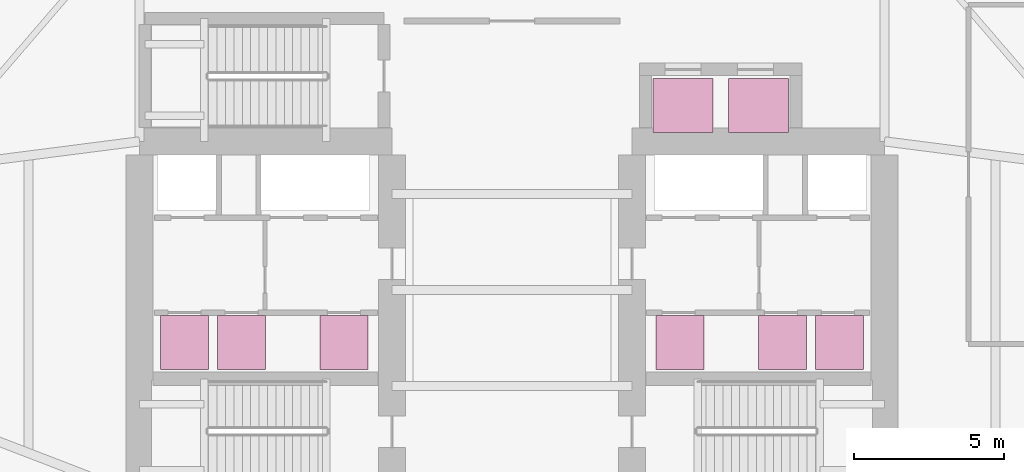
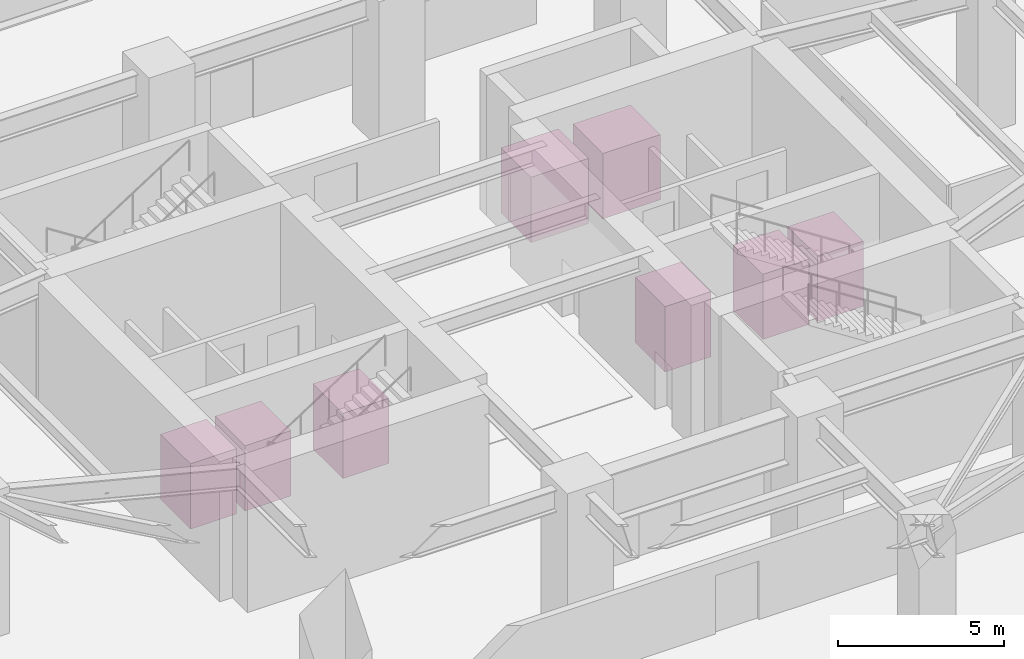
# One storey, part 24 of 24: 8 transport elements.
"""IFC4 building model written with IfcOpenShell, lengths in metres."""

from ifc_helpers import new_model, si_unit, direction, frame, origin, origin_2d, place, context, subcontext, project, spatial, rectangle, extrude, material, type_object, element, save


model = new_model("IFC4")

# Units and contexts
model_context = context("Model", 3, precision=1e-05, world=origin(), true_north=direction((0.0, 1.0)))
body_context = subcontext(model_context, "Body", "Model", "MODEL_VIEW")
ifc_project = project(units=[si_unit("LENGTHUNIT", "METRE"), si_unit("AREAUNIT", "SQUARE_METRE"), si_unit("VOLUMEUNIT", "CUBIC_METRE"), si_unit("PLANEANGLEUNIT", "RADIAN"), si_unit("MASSUNIT", "GRAM", prefix="KILO")], contexts=[model_context])

# Site, building, storey
site_placement = place(None, origin())
site = spatial("IfcSite", under=ifc_project, at=site_placement, CompositionType="ELEMENT")
building_placement = place(site_placement, origin())
building = spatial("IfcBuilding", under=site, at=building_placement, Name="Qingluan Cross Belvedere", CompositionType="ELEMENT")
storey_placement = place(building_placement, origin())
storey = spatial("IfcBuildingStorey", under=building, at=storey_placement, Name="L01", CompositionType="ELEMENT", Elevation=0.0)

# Transport elements
ifc_material_1 = material(Name="Glazed stainless steel shuttle lift cab", Category="steel")
transport_element_type_1 = type_object("IfcTransportElementType", Name="ExpressShuttleLift_2000kg", PredefinedType="ELEVATOR", material=ifc_material_1)
for number, where, z_axis, x_axis, name in (
    (1, (5.699951171875, 6.14990234375, 0.0), (0.0, 0.0, 1.0), (1.0, 0.0, 0.0), "Passenger lift (express bank) LPX1"),
    (2, (8.199951171875, 6.14990234375, 0.0), (0.0, 0.0, 1.0), (1.0, 0.0, 0.0), "Passenger lift (express bank) LPX2"),
):
    element("IfcTransportElement", number, at=place(storey_placement, frame(where, z_axis=z_axis, x_axis=x_axis)), inside=storey, type_object=transport_element_type_1, Name=name, PredefinedType="ELEVATOR", context=body_context, shape_type="SweptSolid", body=[
        extrude(rectangle(XDim=2.0, YDim=1.800048828125, at=origin_2d()), origin(), (0.0, 0.0, 1.0), 2.39990234375),
    ])
ifc_material_2 = material(Name="Stainless steel passenger lift cab", Category="steel")
transport_element_type_2 = type_object("IfcTransportElementType", Name="PassengerLift_1600kg", PredefinedType="ELEVATOR", material=ifc_material_2)
for number, where, z_axis, x_axis, name in (
    (3, (-10.89990234375, -1.75, 0.0), (0.0, 0.0, 1.0), (1.0, 0.0, 0.0), "Passenger lift (mid bank) LP5"),
    (4, (-9.0, -1.75, 0.0), (0.0, 0.0, 1.0), (1.0, 0.0, 0.0), "Passenger lift (mid bank) LP6"),
    (5, (5.60009765625, -1.75, 0.0), (0.0, 0.0, 1.0), (1.0, 0.0, 0.0), "Passenger lift (mid bank) LP7"),
    (6, (-5.60009765625, -1.75, 0.0), (0.0, 0.0, 1.0), (1.0, 0.0, 0.0), "Passenger lift (high bank) LP8"),
    (7, (9.0, -1.75, 0.0), (0.0, 0.0, 1.0), (1.0, 0.0, 0.0), "Passenger lift (high bank) LP9"),
    (8, (10.89990234375, -1.75, 0.0), (0.0, 0.0, 1.0), (1.0, 0.0, 0.0), "Passenger lift (high bank) LP10"),
):
    element("IfcTransportElement", number, at=place(storey_placement, frame(where, z_axis=z_axis, x_axis=x_axis)), inside=storey, type_object=transport_element_type_2, Name=name, PredefinedType="ELEVATOR", context=body_context, shape_type="SweptSolid", body=[
        extrude(rectangle(XDim=1.60009765625, YDim=1.800048828125, at=origin_2d()), origin(), (0.0, 0.0, 1.0), 2.39990234375),
    ])

save(model, "model.ifc")
